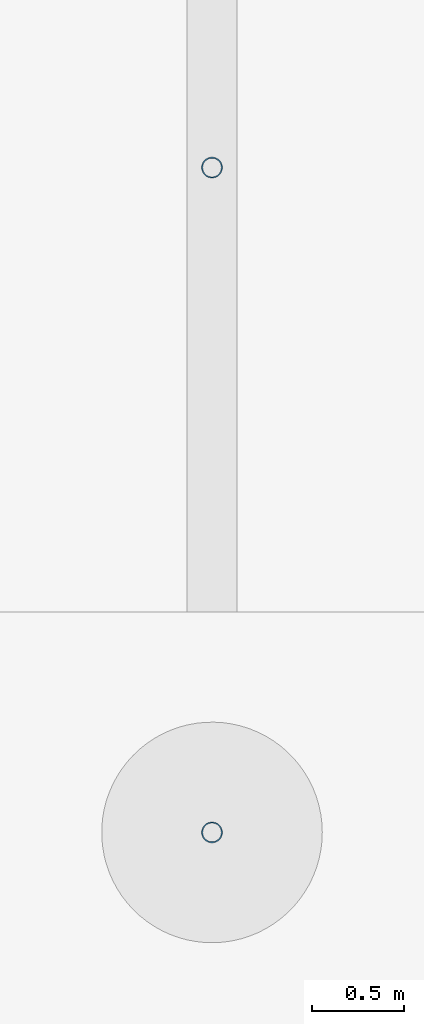
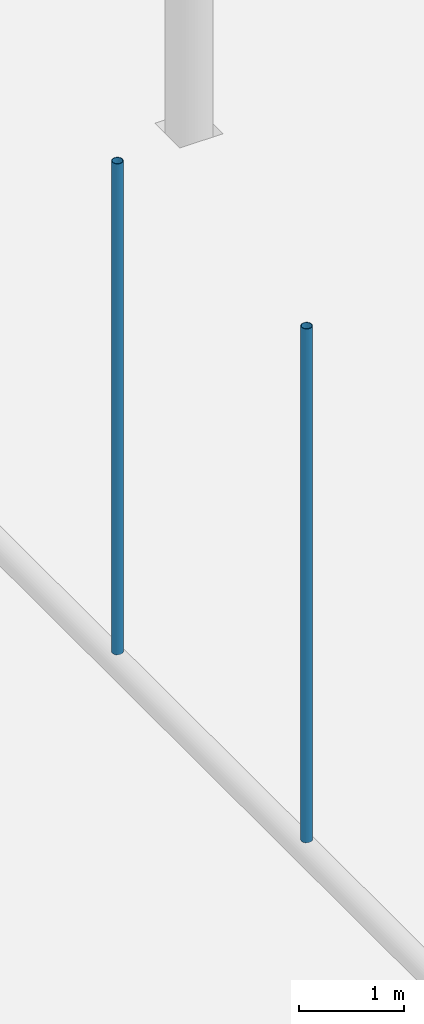
# One storey, part 67 of 212: 2 members.
"""IFC4 building model written with IfcOpenShell, lengths in metres."""

from ifc_helpers import new_model, si_unit, direction, frame, origin, origin_2d, place, context, subcontext, project, spatial, hollow_circle, extrude, material, material_profile, profile_set, type_object, element, save


model = new_model("IFC4")

# Units and contexts
model_context = context("Model", 3, precision=1e-05, world=origin(), true_north=direction((0.0, 1.0)))
body_context = subcontext(model_context, "Body", "Model", "MODEL_VIEW")
ifc_project = project(units=[si_unit("LENGTHUNIT", "METRE"), si_unit("AREAUNIT", "SQUARE_METRE"), si_unit("VOLUMEUNIT", "CUBIC_METRE"), si_unit("PLANEANGLEUNIT", "RADIAN"), si_unit("MASSUNIT", "GRAM", prefix="KILO")], contexts=[model_context])

# Site, building, storey
site_placement = place(None, origin())
site = spatial("IfcSite", under=ifc_project, at=site_placement, CompositionType="ELEMENT")
building_placement = place(site_placement, origin())
building = spatial("IfcBuilding", under=site, at=building_placement, Name="Catenary Quay Ferry Terminal", CompositionType="ELEMENT")
storey_placement = place(building_placement, origin())
storey = spatial("IfcBuildingStorey", under=building, at=storey_placement, Name="L00", CompositionType="ELEMENT", Elevation=0.0)

# Members
ifc_material = material(Name="Steel S355", Category="steel")
ifc_material_profile = material_profile(ifc_material, hollow_circle(Radius=0.05712890625, WallThickness=0.00634765625, at=origin_2d()), Name="CHS 114.3x6.3")
ifc_profile_set = profile_set([ifc_material_profile], Name="Steel S355")
member_type = type_object("IfcMemberType", Name="HG1 CHS 114.3x6.3", PredefinedType="POST", material=ifc_profile_set)
member_1_placement = place(storey_placement, frame((67.199951171875, 33.60009765625, 4.830078125), z_axis=(0.0, 0.0, 1.0), x_axis=(1.0, 0.0, 0.0)))
element("IfcMember", 1, at=member_1_placement, inside=storey, type_object=member_type, Name="Hanger CA-07-05", PredefinedType="POST", context=body_context, shape_type="SweptSolid", body=[
    extrude(hollow_circle(Radius=0.05712890625, WallThickness=0.00634765625, at=origin_2d()), origin(), (0.0, 0.0, 1.0), 5.997802734375),
])
member_2_placement = place(storey_placement, frame((67.199951171875, 37.218017578125, 4.830078125), z_axis=(0.0, 0.0, 1.0), x_axis=(1.0, 0.0, 0.0)))
element("IfcMember", 2, at=member_2_placement, inside=storey, type_object=member_type, Name="Hanger CA-07-06", PredefinedType="POST", context=body_context, shape_type="SweptSolid", body=[
    extrude(hollow_circle(Radius=0.05712890625, WallThickness=0.00634765625, at=origin_2d()), origin(), (0.0, 0.0, 1.0), 5.72998046875),
])

save(model, "model.ifc")
